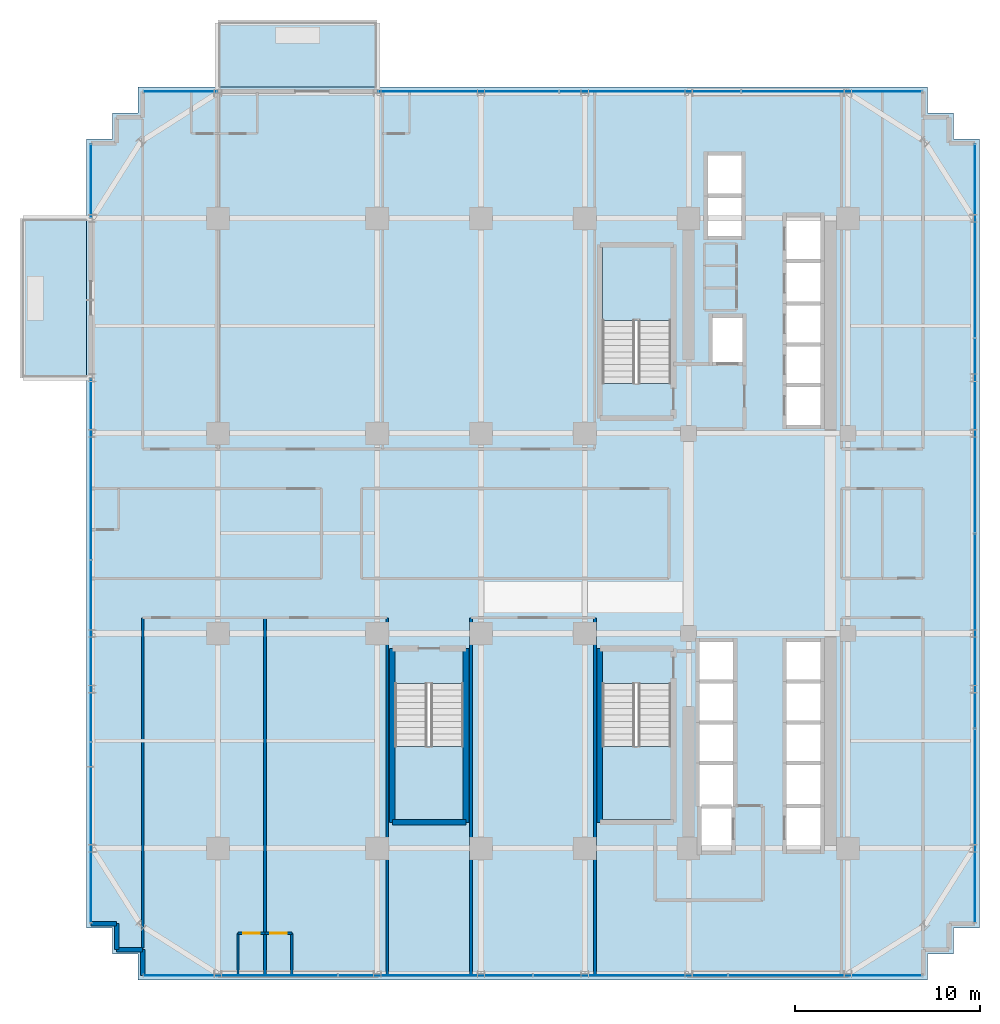
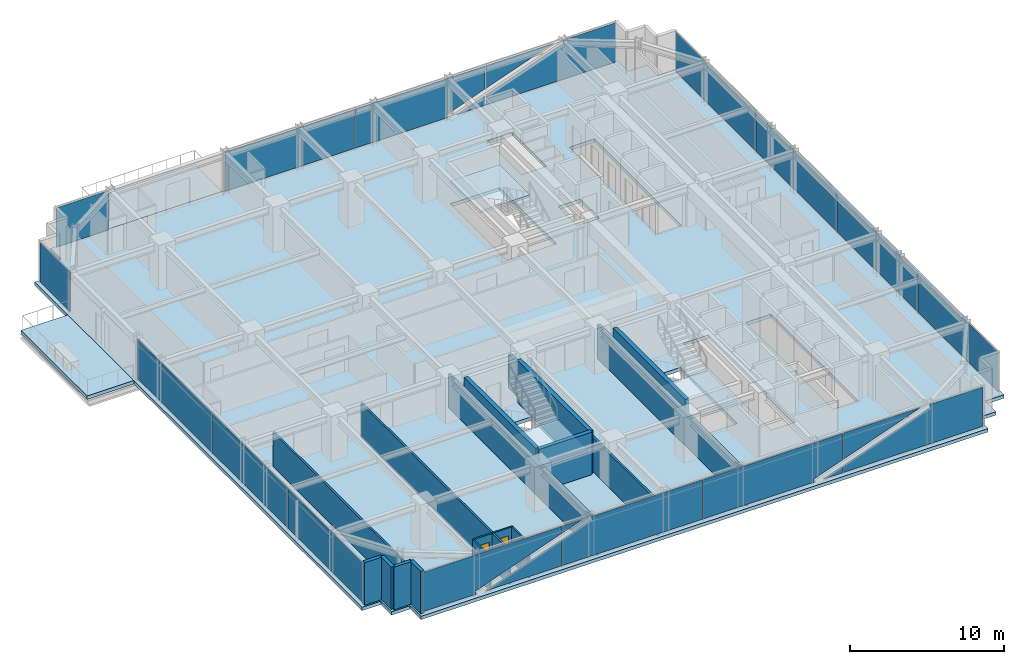
# One storey, part 27 of 35: 17 walls, 16 plates, 6 slabs, 2 doors, 2 openings, 9 elements without a shape of their own.
"""IFC4 building model written with IfcOpenShell, lengths in metres."""

from ifc_helpers import new_model, si_unit, direction, frame, frame_2d, origin, origin_2d, place, context, subcontext, project, spatial, polyline, rectangle, outline, extrude, source, transform, mapped, material, layer, layer_set, type_object, element, fill, aggregate, save


model = new_model("IFC4")

# Units and contexts
model_context = context("Model", 3, precision=1e-05, world=origin(), true_north=direction((0.0, 1.0)))
body_context = subcontext(model_context, "Body", "Model", "MODEL_VIEW")
ifc_project = project(units=[si_unit("LENGTHUNIT", "METRE"), si_unit("AREAUNIT", "SQUARE_METRE"), si_unit("VOLUMEUNIT", "CUBIC_METRE"), si_unit("PLANEANGLEUNIT", "RADIAN"), si_unit("MASSUNIT", "GRAM", prefix="KILO")], contexts=[model_context])

# Site, building, storey
site_placement = place(None, origin())
site = spatial("IfcSite", under=ifc_project, at=site_placement, CompositionType="ELEMENT")
building_placement = place(site_placement, origin())
building = spatial("IfcBuilding", under=site, at=building_placement, Name="Nahalor Promenade Grand Hotel", CompositionType="ELEMENT")
storey_placement = place(building_placement, frame((0.0, 0.0, 121.14990234375)))
storey = spatial("IfcBuildingStorey", under=building, at=storey_placement, Name="L30", CompositionType="ELEMENT", Elevation=121.14990234375)

# Curtain wall, plates
ifc_material_1 = material(Name="Anodised Bronze Aluminium EN AW-6063 T6", Category="aluminium")
curtain_wall_type = type_object("IfcCurtainWallType", Name="CW2 Typical Hotel Flush Bronze Unitised Curtain Wall", PredefinedType="USERDEFINED", material=ifc_material_1)
curtain_wall_1_placement = place(storey_placement, origin())
curtain_wall_1 = element("IfcCurtainWall", 1, at=curtain_wall_1_placement, inside=storey, type_object=curtain_wall_type, Name="L30 Curtain Wall CW-L30-S-1", ObjectType="UNITISED_CURTAIN_WALL", PredefinedType="USERDEFINED")
ifc_material_2 = material(Name="Low-E Laminated Solar Glass", Category="glass")
ifc_layer_1 = layer(ifc_material_2, 0.028076171875)
ifc_layer_set_1 = layer_set([ifc_layer_1], Name="Low-E Laminated Solar Glass")
plate_type = type_object("IfcPlateType", Name="CWP2 Bronze Low-E Vision IGU 28mm", PredefinedType="CURTAIN_PANEL", material=ifc_layer_set_1)
plate_1_placement = place(storey_placement, frame((-15.77880859375, -23.860107421875, 0.130126953125), z_axis=(0.0, 0.0, 1.0), x_axis=(1.0, 0.0, 0.0)))
plate_1 = element("IfcPlate", 2, at=plate_1_placement, type_object=plate_type, Name="CW-L30-S-1 Glazing Panel 0-0", PredefinedType="CURTAIN_PANEL", context=body_context, shape_type="SweptSolid", body=[
    extrude(outline(polyline([(-5.21630859375, 3.1201171875), (-5.21630859375, 0.0), (-1.24072265625, 0.0), (-1.3291015625, 0.246826171875), (5.21630859375, 2.591064453125), (5.21630859375, 3.1201171875), (-5.21630859375, 3.1201171875)])), frame((0.0, 0.01416015625, 0.0), z_axis=(0.0, -1.0, 0.0), x_axis=(1.0, 0.0, 0.0)), (0.0, 0.0, 1.0), 0.028076171875),
    extrude(outline(polyline([(-0.53564453125, 0.0), (5.21630859375, 0.0), (5.21630859375, 2.06005859375), (-0.53564453125, 0.0)])), frame((0.0, 0.01416015625, 0.0), z_axis=(0.0, -1.0, 0.0), x_axis=(1.0, 0.0, 0.0)), (0.0, 0.0, 1.0), 0.028076171875),
])
plate_2_placement = place(storey_placement, frame((-5.264892578125, -23.860107421875, 0.130126953125), z_axis=(0.0, 0.0, 1.0), x_axis=(1.0, 0.0, 0.0)))
plate_2 = element("IfcPlate", 3, at=plate_2_placement, type_object=plate_type, Name="CW-L30-S-1 Glazing Panel 1-0", PredefinedType="CURTAIN_PANEL", context=body_context, shape_type="SweptSolid", body=[
    extrude(outline(polyline([(5.232421875, 0.0), (5.232421875, 3.1201171875), (-3.11572265625, 3.1201171875), (-3.027099609375, 2.873046875), (-5.232421875, 2.083251953125), (-5.232421875, 0.0), (5.232421875, 0.0)])), frame((0.0, 0.01416015625, 0.0), z_axis=(0.0, -1.0, 0.0), x_axis=(1.0, 0.0, 0.0)), (0.0, 0.0, 1.0), 0.028076171875),
    extrude(outline(polyline([(-3.820556640625, 3.1201171875), (-5.232421875, 3.1201171875), (-5.232421875, 2.6142578125), (-3.820556640625, 3.1201171875)])), frame((0.0, 0.01416015625, 0.0), z_axis=(0.0, -1.0, 0.0), x_axis=(1.0, 0.0, 0.0)), (0.0, 0.0, 1.0), 0.028076171875),
])
plate_3_placement = place(storey_placement, frame((5.264892578125, -23.860107421875, 0.130126953125), z_axis=(0.0, 0.0, 1.0), x_axis=(1.0, 0.0, 0.0)))
plate_3 = element("IfcPlate", 4, at=plate_3_placement, type_object=plate_type, Name="CW-L30-S-1 Glazing Panel 2-0", PredefinedType="CURTAIN_PANEL", context=body_context, shape_type="SweptSolid", body=[
    extrude(outline(polyline([(-5.232421875, 3.1201171875), (-5.232421875, 0.0), (3.11572265625, 0.0), (3.027099609375, 0.246826171875), (5.232421875, 1.036865234375), (5.232421875, 3.1201171875), (-5.232421875, 3.1201171875)])), frame((0.0, 0.01416015625, 0.0), z_axis=(0.0, -1.0, 0.0), x_axis=(1.0, 0.0, 0.0)), (0.0, 0.0, 1.0), 0.028076171875),
    extrude(outline(polyline([(3.820556640625, 0.0), (5.232421875, 0.0), (5.232421875, 0.505615234375), (3.820556640625, 0.0)])), frame((0.0, 0.01416015625, 0.0), z_axis=(0.0, -1.0, 0.0), x_axis=(1.0, 0.0, 0.0)), (0.0, 0.0, 1.0), 0.028076171875),
])
plate_4_placement = place(storey_placement, frame((15.77880859375, -23.860107421875, 0.130126953125), z_axis=(0.0, 0.0, 1.0), x_axis=(1.0, 0.0, 0.0)))
plate_4 = element("IfcPlate", 5, at=plate_4_placement, type_object=plate_type, Name="CW-L30-S-1 Glazing Panel 3-0", PredefinedType="CURTAIN_PANEL", context=body_context, shape_type="SweptSolid", body=[
    extrude(outline(polyline([(5.21630859375, 0.0), (5.21630859375, 3.1201171875), (1.24072265625, 3.1201171875), (1.3291015625, 2.873046875), (-5.21630859375, 0.52880859375), (-5.21630859375, 0.0), (5.21630859375, 0.0)])), frame((0.0, 0.01416015625, 0.0), z_axis=(0.0, -1.0, 0.0), x_axis=(1.0, 0.0, 0.0)), (0.0, 0.0, 1.0), 0.028076171875),
    extrude(outline(polyline([(0.53564453125, 3.1201171875), (-5.21630859375, 3.1201171875), (-5.21630859375, 1.06005859375), (0.53564453125, 3.1201171875)])), frame((0.0, 0.01416015625, 0.0), z_axis=(0.0, -1.0, 0.0), x_axis=(1.0, 0.0, 0.0)), (0.0, 0.0, 1.0), 0.028076171875),
])
aggregate(curtain_wall_1, [plate_1, plate_2, plate_3, plate_4])

curtain_wall_2_placement = place(storey_placement, origin())
curtain_wall_2 = element("IfcCurtainWall", 6, at=curtain_wall_2_placement, inside=storey, type_object=curtain_wall_type, Name="L30 Curtain Wall CW-L30-N-3", ObjectType="UNITISED_CURTAIN_WALL", PredefinedType="USERDEFINED")
plate_5_placement = place(storey_placement, frame((6.330078125, 23.860107421875, 0.130126953125), z_axis=(0.0, 0.0, 1.0), x_axis=(1.0, 0.0, 0.0)))
plate_5 = element("IfcPlate", 7, at=plate_5_placement, type_object=plate_type, Name="CW-L30-N-3 Glazing Panel 1-0", PredefinedType="CURTAIN_PANEL", context=body_context, shape_type="SweptSolid", body=[
    extrude(outline(polyline([(-4.87744140625, 3.1201171875), (-4.87744140625, 0.0), (2.050537109375, 0.0), (1.962158203125, 0.246826171875), (4.87744140625, 1.291015625), (4.87744140625, 3.1201171875), (-4.87744140625, 3.1201171875)])), frame((0.0, 0.01416015625, 0.0), z_axis=(0.0, -1.0, 0.0), x_axis=(1.0, 0.0, 0.0)), (0.0, 0.0, 1.0), 0.028076171875),
    extrude(outline(polyline([(2.755615234375, 0.0), (4.87744140625, 0.0), (4.87744140625, 0.760009765625), (2.755615234375, 0.0)])), frame((0.0, 0.01416015625, 0.0), z_axis=(0.0, -1.0, 0.0), x_axis=(1.0, 0.0, 0.0)), (0.0, 0.0, 1.0), 0.028076171875),
])
plate_6_placement = place(storey_placement, frame((16.1337890625, 23.860107421875, 0.130126953125), z_axis=(0.0, 0.0, 1.0), x_axis=(1.0, 0.0, 0.0)))
plate_6 = element("IfcPlate", 8, at=plate_6_placement, type_object=plate_type, Name="CW-L30-N-3 Glazing Panel 2-0", PredefinedType="CURTAIN_PANEL", context=body_context, shape_type="SweptSolid", body=[
    extrude(outline(polyline([(4.861328125, 0.0), (4.861328125, 3.1201171875), (0.8857421875, 3.1201171875), (0.97412109375, 2.873046875), (-4.861328125, 0.783203125), (-4.861328125, 0.0), (4.861328125, 0.0)])), frame((0.0, 0.01416015625, 0.0), z_axis=(0.0, -1.0, 0.0), x_axis=(1.0, 0.0, 0.0)), (0.0, 0.0, 1.0), 0.028076171875),
    extrude(outline(polyline([(0.1806640625, 3.1201171875), (-4.861328125, 3.1201171875), (-4.861328125, 1.314208984375), (0.1806640625, 3.1201171875)])), frame((0.0, 0.01416015625, 0.0), z_axis=(0.0, -1.0, 0.0), x_axis=(1.0, 0.0, 0.0)), (0.0, 0.0, 1.0), 0.028076171875),
])

# Stair, slab
ifc_material_3 = material(Name="Concrete B-50 (C40/50)", Category="concrete")
stair_type_1 = type_object("IfcStairType", Name="Stair-ST1", PredefinedType="HALF_TURN_STAIR", material=ifc_material_3)
stair_1_placement = place(storey_placement, origin())
stair_1 = element("IfcStair", 9, at=stair_1_placement, inside=storey, type_object=stair_type_1, Name="L30 ST1", PredefinedType="HALF_TURN_STAIR")
ifc_layer_2 = layer(ifc_material_3, 0.199951171875)
ifc_layer_set_2 = layer_set([ifc_layer_2], Name="Concrete B-50 (C40/50)")
slab_type_1 = type_object("IfcSlabType", Name="Landing-ST1", PredefinedType="LANDING", material=ifc_layer_set_2)
slab_1_placement = place(storey_placement, frame((0.0, 0.0, 1.625)))
slab_1 = element("IfcSlab", 10, at=slab_1_placement, type_object=slab_type_1, Name="ST1 landing 1", PredefinedType="LANDING", context=body_context, shape_type="SweptSolid", body=[
    extrude(outline(polyline([(7.449951171875, 11.5), (7.449951171875, 15.449951171875), (3.75, 15.449951171875), (3.75, 11.5), (7.449951171875, 11.5)])), origin(), (0.0, 0.0, 1.0), 0.2001953125),
])
aggregate(stair_1, [slab_1])

stair_type_2 = type_object("IfcStairType", Name="Stair-ST2", PredefinedType="HALF_TURN_STAIR", material=ifc_material_3)
stair_2_placement = place(storey_placement, origin())
stair_2 = element("IfcStair", 11, at=stair_2_placement, inside=storey, type_object=stair_type_2, Name="L30 ST2", PredefinedType="HALF_TURN_STAIR")
ifc_layer_3 = layer(ifc_material_3, 0.2099609375)
ifc_layer_set_3 = layer_set([ifc_layer_3], Name="Concrete B-50 (C40/50)")
slab_type_2 = type_object("IfcSlabType", Name="Landing-ST2", PredefinedType="LANDING", material=ifc_layer_set_3)
slab_2_placement = place(storey_placement, frame((0.0, 0.0, 1.614990234375)))
slab_2 = element("IfcSlab", 12, at=slab_2_placement, type_object=slab_type_2, Name="ST2 landing 1", PredefinedType="LANDING", context=body_context, shape_type="SweptSolid", body=[
    extrude(outline(polyline([(3.75, -11.5), (3.75, -15.449951171875), (7.449951171875, -15.449951171875), (7.449951171875, -11.5), (3.75, -11.5)])), origin(), (0.0, 0.0, 1.0), 0.210205078125),
])
aggregate(stair_2, [slab_2])

stair_type_3 = type_object("IfcStairType", Name="Stair-ST3", PredefinedType="HALF_TURN_STAIR", material=ifc_material_3)
stair_3_placement = place(storey_placement, origin())
stair_3 = element("IfcStair", 13, at=stair_3_placement, inside=storey, type_object=stair_type_3, Name="L30 ST3", PredefinedType="HALF_TURN_STAIR")
ifc_layer_4 = layer(ifc_material_3, 0.219970703125)
ifc_layer_set_4 = layer_set([ifc_layer_4], Name="Concrete B-50 (C40/50)")
slab_type_3 = type_object("IfcSlabType", Name="Landing-ST3", PredefinedType="LANDING", material=ifc_layer_set_4)
slab_3_placement = place(storey_placement, frame((0.0, 0.0, 1.60498046875)))
slab_3 = element("IfcSlab", 14, at=slab_3_placement, type_object=slab_type_3, Name="ST3 landing 1", PredefinedType="LANDING", context=body_context, shape_type="SweptSolid", body=[
    extrude(outline(polyline([(-7.449951171875, -11.5), (-7.449951171875, -15.449951171875), (-3.75, -15.449951171875), (-3.75, -11.5), (-7.449951171875, -11.5)])), origin(), (0.0, 0.0, 1.0), 0.22021484375),
])
aggregate(stair_3, [slab_3])

# Slabs
ifc_layer_5 = layer(ifc_material_3, 0.280029296875)
ifc_layer_set_5 = layer_set([ifc_layer_5], Name="Concrete B-50 (C40/50)")
slab_type_4 = type_object("IfcSlabType", Name="Slab-Balcony-280", PredefinedType="FLOOR", material=ifc_layer_set_5)
slab_4_placement = place(storey_placement, frame((0.0, 0.0, -0.27978515625)))
element("IfcSlab", 15, at=slab_4_placement, inside=storey, type_object=slab_type_4, Name="L30 Cantilevered Planted Balcony 1", PredefinedType="FLOOR", context=body_context, shape_type="SweptSolid", body=[
    extrude(outline(polyline([(-17.0, 24.10009765625), (-8.39990234375, 24.10009765625), (-8.39990234375, 27.639892578125), (-17.0, 27.639892578125), (-17.0, 24.10009765625)])), origin(), (0.0, 0.0, 1.0), 0.27978515625),
])
slab_5_placement = place(storey_placement, frame((0.0, 0.0, -0.27978515625)))
element("IfcSlab", 16, at=slab_5_placement, inside=storey, type_object=slab_type_4, Name="L30 Cantilevered Planted Balcony 2", PredefinedType="FLOOR", context=body_context, shape_type="SweptSolid", body=[
    extrude(outline(polyline([(-27.610107421875, 8.39990234375), (-24.10009765625, 8.39990234375), (-24.10009765625, 17.0), (-27.610107421875, 17.0), (-27.610107421875, 8.39990234375)])), origin(), (0.0, 0.0, 1.0), 0.27978515625),
])
ifc_layer_6 = layer(ifc_material_3, 0.27001953125)
ifc_layer_set_6 = layer_set([ifc_layer_6], Name="Concrete B-50 (C40/50)")
slab_type_5 = type_object("IfcSlabType", Name="Slab-TowerZ2-270", PredefinedType="FLOOR", material=ifc_layer_set_6)
slab_6_placement = place(storey_placement, frame((0.0, 0.0, -0.27001953125)))
element("IfcSlab", 17, at=slab_6_placement, inside=storey, type_object=slab_type_5, Name="L30 Suspended Structural Floor Slab", PredefinedType="FLOOR", context=body_context, shape_type="SweptSolid", body=[
    extrude(outline(polyline([(-21.300048828125, -24.10009765625), (21.300048828125, -24.10009765625), (21.300048828125, -22.699951171875), (22.699951171875, -22.699951171875), (22.699951171875, -21.300048828125), (24.10009765625, -21.300048828125), (24.10009765625, 21.300048828125), (22.699951171875, 21.300048828125), (22.699951171875, 22.699951171875), (21.300048828125, 22.699951171875), (21.300048828125, 24.10009765625), (-21.300048828125, 24.10009765625), (-21.300048828125, 22.699951171875), (-22.699951171875, 22.699951171875), (-22.699951171875, 21.300048828125), (-24.10009765625, 21.300048828125), (-24.10009765625, -21.300048828125), (-22.699951171875, -21.300048828125), (-22.699951171875, -22.699951171875), (-21.300048828125, -22.699951171875), (-21.300048828125, -24.10009765625)]), holes=[polyline([(3.75, 8.10009765625), (7.449951171875, 8.10009765625), (7.449951171875, 15.449951171875), (3.75, 15.449951171875), (3.75, 8.10009765625)]), polyline([(3.75, -15.449951171875), (7.449951171875, -15.449951171875), (7.449951171875, -8.10009765625), (3.75, -8.10009765625), (3.75, -15.449951171875)]), polyline([(-7.449951171875, -15.449951171875), (-3.75, -15.449951171875), (-3.75, -8.10009765625), (-7.449951171875, -8.10009765625), (-7.449951171875, -15.449951171875)]), polyline([(13.659912109375, 5.81005859375), (15.5400390625, 5.81005859375), (15.5400390625, 17.139892578125), (13.659912109375, 17.139892578125), (13.659912109375, 5.81005859375)]), polyline([(13.659912109375, -17.139892578125), (15.5400390625, -17.139892578125), (15.5400390625, -5.81005859375), (13.659912109375, -5.81005859375), (13.659912109375, -17.139892578125)]), polyline([(8.9599609375, -17.18994140625), (10.840087890625, -17.18994140625), (10.840087890625, -5.81005859375), (8.9599609375, -5.81005859375), (8.9599609375, -17.18994140625)]), polyline([(9.409912109375, 16.010009765625), (11.2900390625, 16.010009765625), (11.2900390625, 20.43994140625), (9.409912109375, 20.43994140625), (9.409912109375, 16.010009765625)]), polyline([(9.659912109375, 9.2099609375), (11.340087890625, 9.2099609375), (11.340087890625, 11.68994140625), (9.659912109375, 11.68994140625), (9.659912109375, 9.2099609375)])]), origin(), (0.0, 0.0, 1.0), 0.27001953125),
])

# Curtain wall, plate
curtain_wall_3_placement = place(storey_placement, origin())
curtain_wall_3 = element("IfcCurtainWall", 18, at=curtain_wall_3_placement, inside=storey, type_object=curtain_wall_type, Name="L30 Curtain Wall CW-L30-N-1", ObjectType="UNITISED_CURTAIN_WALL", PredefinedType="USERDEFINED")
shared_shape_1 = source(origin(), body_context, "Body", "SweptSolid", [
    extrude(rectangle(XDim=3.929931640625, YDim=0.028076171875, at=origin_2d()), origin(), (0.0, 0.0, 1.0), 3.1201171875),
])
plate_7_placement = place(storey_placement, frame((-19.030029296875, 23.860107421875, 0.130126953125), z_axis=(0.0, 0.0, 1.0), x_axis=(1.0, 0.0, 0.0)))
plate_7 = element("IfcPlate", 19, at=plate_7_placement, type_object=plate_type, Name="CW-L30-N-1 Glazing Panel 0-0", PredefinedType="CURTAIN_PANEL", context=body_context, shape_type="MappedRepresentation", body=[
    mapped(shared_shape_1, transform((0.0, 0.0, 0.0), scale=1.0)),
])
aggregate(curtain_wall_3, [plate_7])

curtain_wall_4_placement = place(storey_placement, origin())
curtain_wall_4 = element("IfcCurtainWall", 20, at=curtain_wall_4_placement, inside=storey, type_object=curtain_wall_type, Name="L30 Curtain Wall CW-L30-W-3", ObjectType="UNITISED_CURTAIN_WALL", PredefinedType="USERDEFINED")
plate_8_placement = place(storey_placement, frame((-23.860107421875, 19.030029296875, 0.130126953125), z_axis=(0.0, 0.0, 1.0), x_axis=(0.0, 1.0, 0.0)))
plate_8 = element("IfcPlate", 21, at=plate_8_placement, type_object=plate_type, Name="CW-L30-W-3 Glazing Panel 0-0", PredefinedType="CURTAIN_PANEL", context=body_context, shape_type="MappedRepresentation", body=[
    mapped(shared_shape_1, transform((0.0, 0.0, 0.0), scale=1.0)),
])
aggregate(curtain_wall_4, [plate_8])

# Plate
shared_shape_2 = source(origin(), body_context, "Body", "SweptSolid", [
    extrude(rectangle(XDim=9.722412109375, YDim=0.028076171875, at=origin_2d()), origin(), (0.0, 0.0, 1.0), 3.1201171875),
])
plate_9_placement = place(storey_placement, frame((-3.4736328125, 23.860107421875, 0.130126953125), z_axis=(0.0, 0.0, 1.0), x_axis=(1.0, 0.0, 0.0)))
plate_9 = element("IfcPlate", 22, at=plate_9_placement, type_object=plate_type, Name="CW-L30-N-3 Glazing Panel 0-0", PredefinedType="CURTAIN_PANEL", context=body_context, shape_type="MappedRepresentation", body=[
    mapped(shared_shape_2, transform((0.0, 0.0, 0.0), scale=1.0)),
])

aggregate(curtain_wall_2, [plate_9, plate_5, plate_6])

# Curtain wall, plates
curtain_wall_5_placement = place(storey_placement, origin())
curtain_wall_5 = element("IfcCurtainWall", 23, at=curtain_wall_5_placement, inside=storey, type_object=curtain_wall_type, Name="L30 Curtain Wall CW-L30-W-1", ObjectType="UNITISED_CURTAIN_WALL", PredefinedType="USERDEFINED")
plate_10_placement = place(storey_placement, frame((-23.860107421875, -16.1337890625, 0.130126953125), z_axis=(0.0, 0.0, 1.0), x_axis=(0.0, 1.0, 0.0)))
plate_10 = element("IfcPlate", 24, at=plate_10_placement, type_object=plate_type, Name="CW-L30-W-1 Glazing Panel 0-0", PredefinedType="CURTAIN_PANEL", context=body_context, shape_type="MappedRepresentation", body=[
    mapped(shared_shape_2, transform((0.0, 0.0, 0.0), scale=1.0)),
])
plate_11_placement = place(storey_placement, frame((-23.860107421875, 3.4736328125, 0.130126953125), z_axis=(0.0, 0.0, 1.0), x_axis=(0.0, 1.0, 0.0)))
plate_11 = element("IfcPlate", 25, at=plate_11_placement, type_object=plate_type, Name="CW-L30-W-1 Glazing Panel 2-0", PredefinedType="CURTAIN_PANEL", context=body_context, shape_type="MappedRepresentation", body=[
    mapped(shared_shape_2, transform((0.0, 0.0, 0.0), scale=1.0)),
])
shared_shape_3 = source(origin(), body_context, "Body", "SweptSolid", [
    extrude(rectangle(XDim=9.7548828125, YDim=0.028076171875, at=origin_2d()), origin(), (0.0, 0.0, 1.0), 3.1201171875),
])
plate_12_placement = place(storey_placement, frame((-23.860107421875, -6.330078125, 0.130126953125), z_axis=(0.0, 0.0, 1.0), x_axis=(0.0, 1.0, 0.0)))
plate_12 = element("IfcPlate", 26, at=plate_12_placement, type_object=plate_type, Name="CW-L30-W-1 Glazing Panel 1-0", PredefinedType="CURTAIN_PANEL", context=body_context, shape_type="MappedRepresentation", body=[
    mapped(shared_shape_3, transform((0.0, 0.0, 0.0), scale=1.0)),
])
aggregate(curtain_wall_5, [plate_10, plate_12, plate_11])

curtain_wall_6_placement = place(storey_placement, origin())
curtain_wall_6 = element("IfcCurtainWall", 27, at=curtain_wall_6_placement, inside=storey, type_object=curtain_wall_type, Name="L30 Curtain Wall CW-L30-E-1", ObjectType="UNITISED_CURTAIN_WALL", PredefinedType="USERDEFINED")
shared_shape_4 = source(origin(), body_context, "Body", "SweptSolid", [
    extrude(rectangle(XDim=10.4326171875, YDim=0.028076171875, at=origin_2d()), origin(), (0.0, 0.0, 1.0), 3.1201171875),
])
plate_13_placement = place(storey_placement, frame((23.860107421875, -15.77880859375, 0.130126953125), z_axis=(0.0, 0.0, 1.0), x_axis=(0.0, 1.0, 0.0)))
plate_13 = element("IfcPlate", 28, at=plate_13_placement, type_object=plate_type, Name="CW-L30-E-1 Glazing Panel 0-0", PredefinedType="CURTAIN_PANEL", context=body_context, shape_type="MappedRepresentation", body=[
    mapped(shared_shape_4, transform((0.0, 0.0, 0.0), scale=1.0)),
])
plate_14_placement = place(storey_placement, frame((23.860107421875, 15.77880859375, 0.130126953125), z_axis=(0.0, 0.0, 1.0), x_axis=(0.0, 1.0, 0.0)))
plate_14 = element("IfcPlate", 29, at=plate_14_placement, type_object=plate_type, Name="CW-L30-E-1 Glazing Panel 3-0", PredefinedType="CURTAIN_PANEL", context=body_context, shape_type="MappedRepresentation", body=[
    mapped(shared_shape_4, transform((0.0, 0.0, 0.0), scale=1.0)),
])
shared_shape_5 = source(origin(), body_context, "Body", "SweptSolid", [
    extrude(rectangle(XDim=10.465087890625, YDim=0.028076171875, at=origin_2d()), origin(), (0.0, 0.0, 1.0), 3.1201171875),
])
plate_15_placement = place(storey_placement, frame((23.860107421875, -5.264892578125, 0.130126953125), z_axis=(0.0, 0.0, 1.0), x_axis=(0.0, 1.0, 0.0)))
plate_15 = element("IfcPlate", 30, at=plate_15_placement, type_object=plate_type, Name="CW-L30-E-1 Glazing Panel 1-0", PredefinedType="CURTAIN_PANEL", context=body_context, shape_type="MappedRepresentation", body=[
    mapped(shared_shape_5, transform((0.0, 0.0, 0.0), scale=1.0)),
])
plate_16_placement = place(storey_placement, frame((23.860107421875, 5.264892578125, 0.130126953125), z_axis=(0.0, 0.0, 1.0), x_axis=(0.0, 1.0, 0.0)))
plate_16 = element("IfcPlate", 31, at=plate_16_placement, type_object=plate_type, Name="CW-L30-E-1 Glazing Panel 2-0", PredefinedType="CURTAIN_PANEL", context=body_context, shape_type="MappedRepresentation", body=[
    mapped(shared_shape_5, transform((0.0, 0.0, 0.0), scale=1.0)),
])
aggregate(curtain_wall_6, [plate_13, plate_15, plate_16, plate_14])

# Walls
ifc_layer_7 = layer(ifc_material_3, 0.300048828125)
ifc_layer_set_7 = layer_set([ifc_layer_7], Name="Concrete B-50 (C40/50)")
wall_type_1 = type_object("IfcWallType", Name="Wall-ShaftShear-300", PredefinedType="SHEAR", material=ifc_layer_set_7)
shared_shape_6 = source(origin(), body_context, "Body", "SweptSolid", [
    extrude(rectangle(XDim=3.97998046875, YDim=0.300048828125, at=frame_2d((1.989990234375, 0.0))), origin(), (0.0, 0.0, 1.0), 3.380126953125),
])
wall_1_placement = place(storey_placement, frame((-7.590087890625, -15.590087890625, 0.0), z_axis=(0.0, 0.0, 1.0), x_axis=(1.0, 0.0, 0.0)))
element("IfcWall", 32, at=wall_1_placement, inside=storey, type_object=wall_type_1, Name="L30 Exit Stair ST3 Shaft Wall S", PredefinedType="SHEAR", context=body_context, shape_type="MappedRepresentation", body=[
    mapped(shared_shape_6, transform((0.0, 0.0, 0.0), scale=1.0)),
])
shared_shape_7 = source(origin(), body_context, "Body", "SweptSolid", [
    extrude(rectangle(XDim=9.380126953125, YDim=0.300048828125, at=frame_2d((4.68994140625, 0.0))), origin(), (0.0, 0.0, 1.0), 3.380126953125),
])
for number, where, z_axis, x_axis, name in (
    (33, (3.610107421875, -15.590087890625, 0.0), (0.0, 0.0, 1.0), (0.0, 1.0, 0.0), "L30 Exit Stair ST2 Shaft Wall W"),
    (34, (-7.590087890625, -15.590087890625, 0.0), (0.0, 0.0, 1.0), (0.0, 1.0, 0.0), "L30 Exit Stair ST3 Shaft Wall W"),
    (35, (-3.610107421875, -15.590087890625, 0.0), (0.0, 0.0, 1.0), (0.0, 1.0, 0.0), "L30 Exit Stair ST3 Shaft Wall E"),
):
    element("IfcWall", number, at=place(storey_placement, frame(where, z_axis=z_axis, x_axis=x_axis)), inside=storey, type_object=wall_type_1, Name=name, PredefinedType="SHEAR", context=body_context, shape_type="MappedRepresentation", body=[
        mapped(shared_shape_7, transform((0.0, 0.0, 0.0), scale=1.0)),
    ])
ifc_material_4 = material(Name="Concrete B-40 (C32/40)", Category="concrete")
ifc_layer_8 = layer(ifc_material_4, 0.25)
ifc_layer_set_8 = layer_set([ifc_layer_8], Name="Concrete B-40 (C32/40)")
wall_type_2 = type_object("IfcWallType", Name="Wall-BronzePier-250", PredefinedType="STANDARD", material=ifc_layer_set_8)
shared_shape_8 = source(origin(), body_context, "Body", "SweptSolid", [
    extrude(rectangle(XDim=1.400146484375, YDim=0.25, at=frame_2d((0.7001953125, 0.0))), origin(), (0.0, 0.0, 1.0), 3.380126953125),
])
for number, where, z_axis, x_axis, name in (
    (36, (-23.860107421875, -21.06005859375, 0.0), (0.0, 0.0, 1.0), (1.0, 0.0, 0.0), "W-L30-SR-13"),
    (37, (-21.06005859375, -23.860107421875, 0.0), (0.0, 0.0, 1.0), (0.0, 1.0, 0.0), "W-L30-SR-16"),
):
    element("IfcWall", number, at=place(storey_placement, frame(where, z_axis=z_axis, x_axis=x_axis)), inside=storey, type_object=wall_type_2, Name=name, PredefinedType="STANDARD", context=body_context, shape_type="MappedRepresentation", body=[
        mapped(shared_shape_8, transform((0.0, 0.0, 0.0), scale=1.0)),
    ])
shared_shape_9 = source(origin(), body_context, "Body", "SweptSolid", [
    extrude(rectangle(XDim=1.39990234375, YDim=0.25, at=frame_2d((0.699951171875, 0.0))), origin(), (0.0, 0.0, 1.0), 3.380126953125),
])
for number, where, z_axis, x_axis, name in (
    (38, (-22.4599609375, -22.4599609375, 0.0), (0.0, 0.0, 1.0), (0.0, 1.0, 0.0), "W-L30-SR-14"),
    (39, (-22.4599609375, -22.4599609375, 0.0), (0.0, 0.0, 1.0), (1.0, 0.0, 0.0), "W-L30-SR-15"),
):
    element("IfcWall", number, at=place(storey_placement, frame(where, z_axis=z_axis, x_axis=x_axis)), inside=storey, type_object=wall_type_2, Name=name, PredefinedType="STANDARD", context=body_context, shape_type="MappedRepresentation", body=[
        mapped(shared_shape_9, transform((0.0, 0.0, 0.0), scale=1.0)),
    ])
ifc_material_5 = material(Name="Acoustic Mineral Gypsum", Category="gypsum")
ifc_layer_9 = layer(ifc_material_5, 0.159912109375)
ifc_layer_set_9 = layer_set([ifc_layer_9], Name="Acoustic Mineral Gypsum")
wall_type_3 = type_object("IfcWallType", Name="Wall-PartCorridor-160", PredefinedType="PARTITIONING", material=ifc_layer_set_9)
shared_shape_10 = source(origin(), body_context, "Body", "SweptSolid", [
    extrude(rectangle(XDim=19.25, YDim=0.159912109375, at=frame_2d((9.625, 0.0))), origin(), (0.0, 0.0, 1.0), 2.72021484375),
])
for number, where, z_axis, x_axis, name in (
    (40, (-3.340087890625, -23.800048828125, 0.0), (0.0, 0.0, 1.0), (0.0, 1.0, 0.0), "W-L30-SCB-W"),
    (41, (3.340087890625, -23.800048828125, 0.0), (0.0, 0.0, 1.0), (0.0, 1.0, 0.0), "W-L30-SCB-E"),
):
    element("IfcWall", number, at=place(storey_placement, frame(where, z_axis=z_axis, x_axis=x_axis)), inside=storey, type_object=wall_type_3, Name=name, PredefinedType="PARTITIONING", context=body_context, shape_type="MappedRepresentation", body=[
        mapped(shared_shape_10, transform((0.0, 0.0, 0.0), scale=1.0)),
    ])
ifc_layer_10 = layer(ifc_material_5, 0.139892578125)
ifc_layer_set_10 = layer_set([ifc_layer_10], Name="Acoustic Mineral Gypsum")
wall_type_4 = type_object("IfcWallType", Name="Wall-PartSuite-140", PredefinedType="PARTITIONING", material=ifc_layer_set_10)
shared_shape_11 = source(origin(), body_context, "Body", "SweptSolid", [
    extrude(rectangle(XDim=17.829833984375, YDim=0.139892578125, at=frame_2d((8.9150390625, 0.0))), origin(), (0.0, 0.0, 1.0), 2.72021484375),
])
wall_2_placement = place(storey_placement, frame((-21.06005859375, -22.3798828125, 0.0), z_axis=(0.0, 0.0, 1.0), x_axis=(0.0, 1.0, 0.0)))
element("IfcWall", 42, at=wall_2_placement, inside=storey, type_object=wall_type_4, Name="W-L30-SW-ENDW", PredefinedType="PARTITIONING", context=body_context, shape_type="MappedRepresentation", body=[
    mapped(shared_shape_11, transform((0.0, 0.0, 0.0), scale=1.0)),
])
shared_shape_12 = source(origin(), body_context, "Body", "SweptSolid", [
    extrude(rectangle(XDim=19.25, YDim=0.139892578125, at=frame_2d((9.625, 0.0))), origin(), (0.0, 0.0, 1.0), 2.72021484375),
])
for number, where, z_axis, x_axis, name in (
    (43, (-7.860107421875, -23.800048828125, 0.0), (0.0, 0.0, 1.0), (0.0, 1.0, 0.0), "W-L30-SW-ENDE"),
    (44, (-14.4599609375, -23.800048828125, 0.0), (0.0, 0.0, 1.0), (0.0, 1.0, 0.0), "W-L30-SP-1"),
):
    element("IfcWall", number, at=place(storey_placement, frame(where, z_axis=z_axis, x_axis=x_axis)), inside=storey, type_object=wall_type_4, Name=name, PredefinedType="PARTITIONING", context=body_context, shape_type="MappedRepresentation", body=[
        mapped(shared_shape_12, transform((0.0, 0.0, 0.0), scale=1.0)),
    ])

# Wall, opening, door
ifc_layer_11 = layer(ifc_material_5, 0.1201171875)
ifc_layer_set_11 = layer_set([ifc_layer_11], Name="Acoustic Mineral Gypsum")
wall_type_5 = type_object("IfcWallType", Name="Wall-PartBath-120", PredefinedType="PARTITIONING", material=ifc_layer_set_11)
shared_shape_13 = source(origin(), body_context, "Body", "SweptSolid", [
    extrude(rectangle(XDim=1.449951171875, YDim=0.1201171875, at=frame_2d((0.72509765625, 0.0))), origin(), (0.0, 0.0, 1.0), 2.72021484375),
])
wall_3_placement = place(storey_placement, frame((-15.909912109375, -21.580078125, 0.0), z_axis=(0.0, 0.0, 1.0), x_axis=(1.0, 0.0, 0.0)))
wall_3 = element("IfcWall", 45, at=wall_3_placement, inside=storey, type_object=wall_type_5, Name="W-L30-S1-BH", PredefinedType="PARTITIONING", context=body_context, shape_type="MappedRepresentation", body=[
    mapped(shared_shape_13, transform((0.0, 0.0, 0.0), scale=1.0)),
])
opening_1_placement = place(wall_3_placement, frame((0.284912109375, 0.0, 0.0)))
opening_1 = element("IfcOpeningElement", 46, at=opening_1_placement, cuts=wall_3, Name="Opening D-03", PredefinedType="OPENING", context=body_context, shape_type="SweptSolid", body=[
    extrude(rectangle(XDim=0.8798828125, YDim=2.10009765625, at=frame_2d((0.43994140625, 1.050048828125))), frame((0.0, 0.070068359375, 0.0), z_axis=(0.0, -1.0, 0.0), x_axis=(1.0, 0.0, 0.0)), (0.0, 0.0, 1.0), 0.14013671875),
])
ifc_material_6 = material(Name="Fire-Rated Timber Composite", Category="wood")
door_type = type_object("IfcDoorType", Name="Door-BathSwing-880", OperationType="NOTDEFINED", PredefinedType="DOOR", material=ifc_material_6)
shared_shape_14 = source(origin(), body_context, "Body", "SweptSolid", [
    extrude(rectangle(XDim=0.8798828125, YDim=2.10009765625, at=frame_2d((0.43994140625, 1.050048828125))), frame((0.0, 0.02490234375, 0.0), z_axis=(0.0, -1.0, 0.0), x_axis=(1.0, 0.0, 0.0)), (0.0, 0.0, 1.0), 0.050048828125),
])
door_1_placement = place(opening_1_placement, frame((0.8798828125, 0.0, 0.0), z_axis=(0.0, 0.0, 1.0), x_axis=(-1.0, 0.0, 0.0)))
door_1 = element("IfcDoor", 47, at=door_1_placement, inside=storey, type_object=door_type, Name="DR-L30-S1-BATH", OperationType="SINGLE_SWING_RIGHT", OverallHeight=2.10009765625, OverallWidth=0.8798828125, PredefinedType="DOOR", context=body_context, shape_type="MappedRepresentation", body=[
    mapped(shared_shape_14, transform((0.0, 0.0, 0.0), scale=1.0)),
])
fill(opening_1, door_1)

wall_4_placement = place(storey_placement, frame((-14.4599609375, -21.580078125, 0.0), z_axis=(0.0, 0.0, 1.0), x_axis=(1.0, 0.0, 0.0)))
wall_4 = element("IfcWall", 48, at=wall_4_placement, inside=storey, type_object=wall_type_5, Name="W-L30-S2-BH", PredefinedType="PARTITIONING", context=body_context, shape_type="MappedRepresentation", body=[
    mapped(shared_shape_13, transform((0.0, 0.0, 0.0), scale=1.0)),
])
opening_2_placement = place(wall_4_placement, frame((0.284912109375, 0.0, 0.0)))
opening_2 = element("IfcOpeningElement", 49, at=opening_2_placement, cuts=wall_4, Name="Opening D-03", PredefinedType="OPENING", context=body_context, shape_type="SweptSolid", body=[
    extrude(rectangle(XDim=0.8798828125, YDim=2.10009765625, at=frame_2d((0.43994140625, 1.050048828125))), frame((0.0, 0.070068359375, 0.0), z_axis=(0.0, -1.0, 0.0), x_axis=(1.0, 0.0, 0.0)), (0.0, 0.0, 1.0), 0.14013671875),
])
door_2_placement = place(opening_2_placement, frame((0.8798828125, 0.0, 0.0), z_axis=(0.0, 0.0, 1.0), x_axis=(-1.0, 0.0, 0.0)))
door_2 = element("IfcDoor", 50, at=door_2_placement, inside=storey, type_object=door_type, Name="DR-L30-S2-BATH", OperationType="SINGLE_SWING_RIGHT", OverallHeight=2.10009765625, OverallWidth=0.8798828125, PredefinedType="DOOR", context=body_context, shape_type="MappedRepresentation", body=[
    mapped(shared_shape_14, transform((0.0, 0.0, 0.0), scale=1.0)),
])
fill(opening_2, door_2)

# Walls
shared_shape_15 = source(origin(), body_context, "Body", "SweptSolid", [
    extrude(rectangle(XDim=2.219970703125, YDim=0.1201171875, at=frame_2d((1.10986328125, 0.0))), origin(), (0.0, 0.0, 1.0), 2.72021484375),
])
for number, where, z_axis, x_axis, name in (
    (51, (-15.909912109375, -23.800048828125, 0.0), (0.0, 0.0, 1.0), (0.0, 1.0, 0.0), "W-L30-S1-BV"),
    (52, (-13.010009765625, -23.800048828125, 0.0), (0.0, 0.0, 1.0), (0.0, 1.0, 0.0), "W-L30-S2-BV"),
):
    element("IfcWall", number, at=place(storey_placement, frame(where, z_axis=z_axis, x_axis=x_axis)), inside=storey, type_object=wall_type_5, Name=name, PredefinedType="PARTITIONING", context=body_context, shape_type="MappedRepresentation", body=[
        mapped(shared_shape_15, transform((0.0, 0.0, 0.0), scale=1.0)),
    ])

save(model, "model.ifc")
